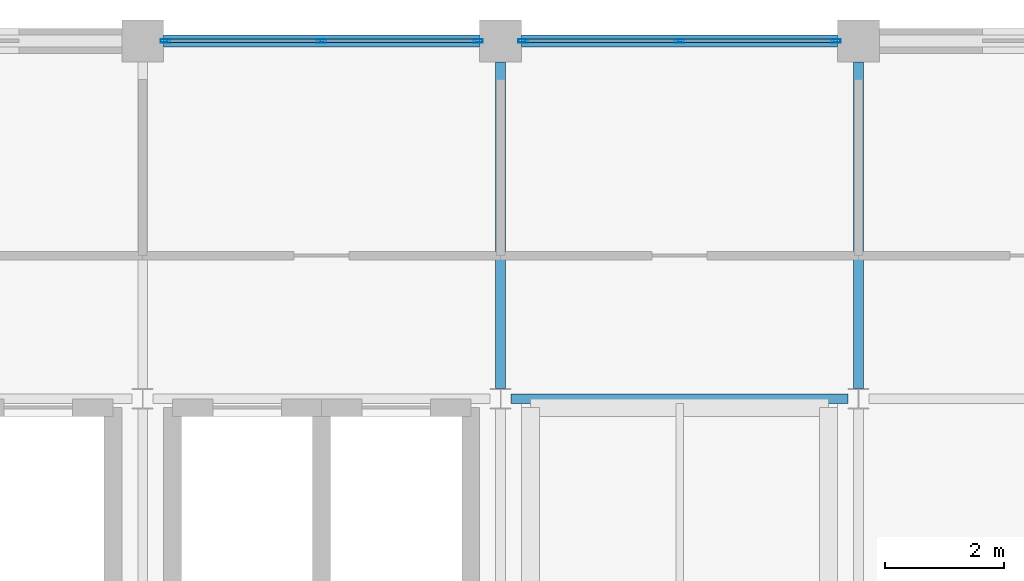
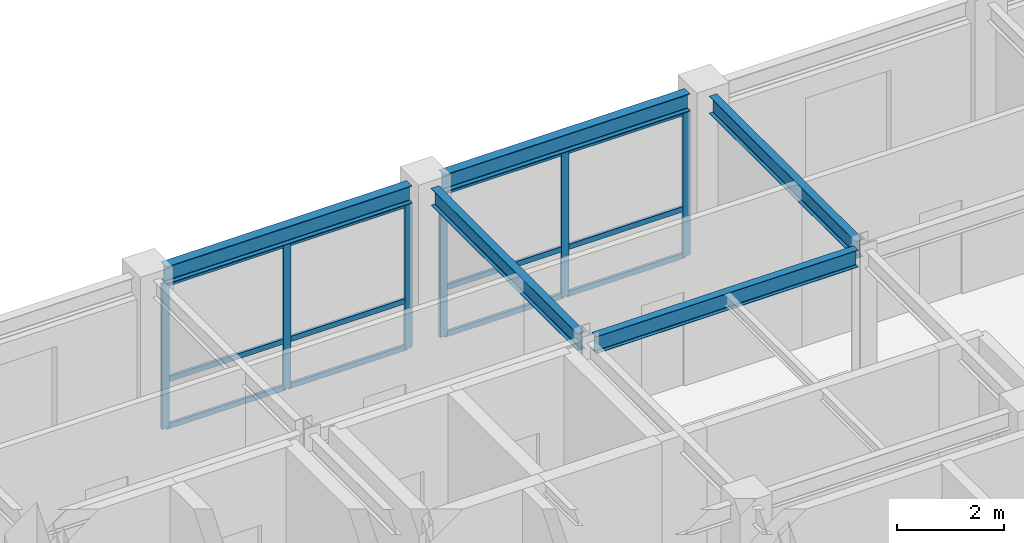
# One storey, part 7 of 13: 18 members, 5 beams, 2 elements without a shape of their own.
"""IFC4 building model written with IfcOpenShell, lengths in metres."""

from ifc_helpers import new_model, si_unit, direction, frame, origin, origin_2d, place, context, subcontext, project, spatial, hollow_rectangle, i_section, extrude, material, layer, layer_set, material_profile, profile_set, type_object, element, aggregate, save


model = new_model("IFC4")

# Units and contexts
model_context = context("Model", 3, precision=1e-05, world=origin(), true_north=direction((0.0, 1.0)))
body_context = subcontext(model_context, "Body", "Model", "MODEL_VIEW")
ifc_project = project(units=[si_unit("LENGTHUNIT", "METRE"), si_unit("AREAUNIT", "SQUARE_METRE"), si_unit("VOLUMEUNIT", "CUBIC_METRE"), si_unit("PLANEANGLEUNIT", "RADIAN"), si_unit("MASSUNIT", "GRAM", prefix="KILO")], contexts=[model_context])

# Site, building, storey
site_placement = place(None, origin())
site = spatial("IfcSite", under=ifc_project, at=site_placement, CompositionType="ELEMENT")
building_placement = place(site_placement, origin())
building = spatial("IfcBuilding", under=site, at=building_placement, Name="Zlatovratsky Civic Hall", CompositionType="ELEMENT")
storey_placement = place(building_placement, frame((0.0, 0.0, 44.39990234375)))
storey = spatial("IfcBuildingStorey", under=building, at=storey_placement, Name="L11", CompositionType="ELEMENT", Elevation=44.39990234375)

# Beams
ifc_material_1 = material(Name="Steel S355", Category="steel")
ifc_material_profile_1 = material_profile(ifc_material_1, i_section(OverallWidth=0.199951171875, OverallDepth=0.39990234375, WebThickness=0.008056640625, FlangeThickness=0.012939453125, FilletRadius=0.014892578125, at=origin_2d()), Name="40B2")
ifc_profile_set_1 = profile_set([ifc_material_profile_1], Name="Steel S355")
beam_type_1 = type_object("IfcBeamType", Name="Beam_Spandrel_40B2", PredefinedType="SPANDREL", material=ifc_profile_set_1)
for number, where, z_axis, x_axis, name in (
    (1, (78.35009765625, 102.0, 3.5400390625), (1.0, 0.0, 0.0), (0.0, 1.0, 0.0), "BM-4744"),
    (2, (84.35009765625, 102.0, 3.5400390625), (1.0, 0.0, 0.0), (0.0, 1.0, 0.0), "BM-4745"),
):
    element("IfcBeam", number, at=place(storey_placement, frame(where, z_axis=z_axis, x_axis=x_axis)), inside=storey, type_object=beam_type_1, Name=name, PredefinedType="SPANDREL", context=body_context, shape_type="SweptSolid", body=[
        extrude(i_section(OverallWidth=0.199951171875, OverallDepth=0.39990234375, WebThickness=0.008056640625, FlangeThickness=0.012939453125, FilletRadius=0.014892578125, at=origin_2d()), origin(), (0.0, 0.0, 1.0), 5.2998046875),
    ])
ifc_material_profile_2 = material_profile(ifc_material_1, i_section(OverallWidth=0.1650390625, OverallDepth=0.39208984375, WebThickness=0.006591796875, FlangeThickness=0.009521484375, FilletRadius=0.014892578125, at=origin_2d()), Name="40B1")
ifc_profile_set_2 = profile_set([ifc_material_profile_2], Name="Steel S355")
beam_type_2 = type_object("IfcBeamType", Name="Beam_Tie_40B1", PredefinedType="BEAM", material=ifc_profile_set_2)
beam_placement = place(storey_placement, frame((84.175048828125, 96.0, 3.544189453125), z_axis=(1.0, 0.0, 0.0), x_axis=(0.0, 1.0, 0.0)))
element("IfcBeam", 3, at=beam_placement, inside=storey, type_object=beam_type_2, Name="BM-4737", PredefinedType="BEAM", context=body_context, shape_type="SweptSolid", body=[
    extrude(i_section(OverallWidth=0.1650390625, OverallDepth=0.39208984375, WebThickness=0.006591796875, FlangeThickness=0.009521484375, FilletRadius=0.014892578125, at=origin_2d()), origin(), (0.0, 0.0, 1.0), 5.64990234375),
])
for number, where, z_axis, x_axis, name in (
    (4, (84.0, 96.17138671875, 3.544189453125), (0.0, 1.0, 0.0), (-1.0, 0.0, 0.0), "BM-4773"),
    (5, (90.0, 96.17138671875, 3.544189453125), (0.0, 1.0, 0.0), (-1.0, 0.0, 0.0), "BM-4778"),
):
    element("IfcBeam", number, at=place(storey_placement, frame(where, z_axis=z_axis, x_axis=x_axis)), inside=storey, type_object=beam_type_2, Name=name, PredefinedType="BEAM", context=body_context, shape_type="SweptSolid", body=[
        extrude(i_section(OverallWidth=0.1650390625, OverallDepth=0.39208984375, WebThickness=0.006591796875, FlangeThickness=0.009521484375, FilletRadius=0.014892578125, at=origin_2d()), origin(), (0.0, 0.0, 1.0), 5.478515625),
    ])

# Curtain wall, members
ifc_material_2 = material(Name="Anodised bronze aluminium", Category="aluminium")
ifc_layer = layer(ifc_material_2, 0.159912109375)
ifc_layer_set = layer_set([ifc_layer], Name="Anodised bronze aluminium")
curtain_wall_type = type_object("IfcCurtainWallType", Name="CurtainWall_Bronze_5300x3320_21", PredefinedType="NOTDEFINED", material=ifc_layer_set)
curtain_wall_1_placement = place(storey_placement, origin())
curtain_wall_1 = element("IfcCurtainWall", 6, at=curtain_wall_1_placement, inside=storey, type_object=curtain_wall_type, Name="CW-155", PredefinedType="NOTDEFINED")
ifc_material_profile_3 = material_profile(ifc_material_2, hollow_rectangle(XDim=0.06005859375, YDim=0.159912109375, WallThickness=0.00390625, at=origin_2d()), Name="ALU 60x160x4")
ifc_profile_set_3 = profile_set([ifc_material_profile_3], Name="Anodised bronze aluminium")
member_type_1 = type_object("IfcMemberType", Name="CW_Mullion_60x160", PredefinedType="MULLION", material=ifc_profile_set_3)
member_1_placement = place(storey_placement, frame((78.3798828125, 102.0, 0.0), z_axis=(0.0, 0.0, 1.0), x_axis=(0.0, 1.0, 0.0)))
member_1 = element("IfcMember", 7, at=member_1_placement, type_object=member_type_1, Name="CW-21 mullion 1", PredefinedType="MULLION", context=body_context, shape_type="SweptSolid", body=[
    extrude(hollow_rectangle(XDim=0.06005859375, YDim=0.159912109375, WallThickness=0.00390625, at=origin_2d()), origin(), (0.0, 0.0, 1.0), 3.320068359375),
])
member_2_placement = place(storey_placement, frame((81.0, 102.0, 0.0), z_axis=(0.0, 0.0, 1.0), x_axis=(0.0, 1.0, 0.0)))
member_2 = element("IfcMember", 8, at=member_2_placement, type_object=member_type_1, Name="CW-21 mullion 2", PredefinedType="MULLION", context=body_context, shape_type="SweptSolid", body=[
    extrude(hollow_rectangle(XDim=0.06005859375, YDim=0.159912109375, WallThickness=0.00390625, at=origin_2d()), origin(), (0.0, 0.0, 1.0), 3.320068359375),
])
member_3_placement = place(storey_placement, frame((83.6201171875, 102.0, 0.0), z_axis=(0.0, 0.0, 1.0), x_axis=(0.0, 1.0, 0.0)))
member_3 = element("IfcMember", 9, at=member_3_placement, type_object=member_type_1, Name="CW-21 mullion 3", PredefinedType="MULLION", context=body_context, shape_type="SweptSolid", body=[
    extrude(hollow_rectangle(XDim=0.06005859375, YDim=0.159912109375, WallThickness=0.00390625, at=origin_2d()), origin(), (0.0, 0.0, 1.0), 3.320068359375),
])

curtain_wall_2_placement = place(storey_placement, origin())
curtain_wall_2 = element("IfcCurtainWall", 10, at=curtain_wall_2_placement, inside=storey, type_object=curtain_wall_type, Name="CW-156", PredefinedType="NOTDEFINED")
member_4_placement = place(storey_placement, frame((84.3798828125, 102.0, 0.0), z_axis=(0.0, 0.0, 1.0), x_axis=(0.0, 1.0, 0.0)))
member_4 = element("IfcMember", 11, at=member_4_placement, type_object=member_type_1, Name="CW-21 mullion 1", PredefinedType="MULLION", context=body_context, shape_type="SweptSolid", body=[
    extrude(hollow_rectangle(XDim=0.06005859375, YDim=0.159912109375, WallThickness=0.00390625, at=origin_2d()), origin(), (0.0, 0.0, 1.0), 3.320068359375),
])
member_5_placement = place(storey_placement, frame((87.0, 102.0, 0.0), z_axis=(0.0, 0.0, 1.0), x_axis=(0.0, 1.0, 0.0)))
member_5 = element("IfcMember", 12, at=member_5_placement, type_object=member_type_1, Name="CW-21 mullion 2", PredefinedType="MULLION", context=body_context, shape_type="SweptSolid", body=[
    extrude(hollow_rectangle(XDim=0.06005859375, YDim=0.159912109375, WallThickness=0.00390625, at=origin_2d()), origin(), (0.0, 0.0, 1.0), 3.320068359375),
])
member_6_placement = place(storey_placement, frame((89.6201171875, 102.0, 0.0), z_axis=(0.0, 0.0, 1.0), x_axis=(0.0, 1.0, 0.0)))
member_6 = element("IfcMember", 13, at=member_6_placement, type_object=member_type_1, Name="CW-21 mullion 3", PredefinedType="MULLION", context=body_context, shape_type="SweptSolid", body=[
    extrude(hollow_rectangle(XDim=0.06005859375, YDim=0.159912109375, WallThickness=0.00390625, at=origin_2d()), origin(), (0.0, 0.0, 1.0), 3.320068359375),
])

# Member
ifc_material_profile_4 = material_profile(ifc_material_2, hollow_rectangle(XDim=0.06005859375, YDim=0.1201171875, WallThickness=0.00390625, at=origin_2d()), Name="ALU 60x120x4")
ifc_profile_set_4 = profile_set([ifc_material_profile_4], Name="Anodised bronze aluminium")
member_type_2 = type_object("IfcMemberType", Name="CW_Transom_60x120", PredefinedType="USERDEFINED", material=ifc_profile_set_4)
member_7_placement = place(storey_placement, frame((78.409912109375, 102.0, 0.030029296875), z_axis=(1.0, 0.0, 0.0), x_axis=(0.0, 1.0, 0.0)))
member_7 = element("IfcMember", 14, at=member_7_placement, type_object=member_type_2, Name="CW-21 transom 1.1", ObjectType="TRANSOM", PredefinedType="USERDEFINED", context=body_context, shape_type="SweptSolid", body=[
    extrude(hollow_rectangle(XDim=0.06005859375, YDim=0.1201171875, WallThickness=0.00390625, at=origin_2d()), origin(), (0.0, 0.0, 1.0), 2.56005859375),
])

member_8_placement = place(storey_placement, frame((78.409912109375, 102.0, 1.10009765625), z_axis=(1.0, 0.0, 0.0), x_axis=(0.0, 1.0, 0.0)))
member_8 = element("IfcMember", 15, at=member_8_placement, type_object=member_type_2, Name="CW-21 transom 1.2", ObjectType="TRANSOM", PredefinedType="USERDEFINED", context=body_context, shape_type="SweptSolid", body=[
    extrude(hollow_rectangle(XDim=0.06005859375, YDim=0.1201171875, WallThickness=0.00390625, at=origin_2d()), origin(), (0.0, 0.0, 1.0), 2.56005859375),
])

member_9_placement = place(storey_placement, frame((78.409912109375, 102.0, 3.2900390625), z_axis=(1.0, 0.0, 0.0), x_axis=(0.0, 1.0, 0.0)))
member_9 = element("IfcMember", 16, at=member_9_placement, type_object=member_type_2, Name="CW-21 transom 1.3", ObjectType="TRANSOM", PredefinedType="USERDEFINED", context=body_context, shape_type="SweptSolid", body=[
    extrude(hollow_rectangle(XDim=0.06005859375, YDim=0.1201171875, WallThickness=0.00390625, at=origin_2d()), origin(), (0.0, 0.0, 1.0), 2.56005859375),
])

member_10_placement = place(storey_placement, frame((81.030029296875, 102.0, 0.030029296875), z_axis=(1.0, 0.0, 0.0), x_axis=(0.0, 1.0, 0.0)))
member_10 = element("IfcMember", 17, at=member_10_placement, type_object=member_type_2, Name="CW-21 transom 2.1", ObjectType="TRANSOM", PredefinedType="USERDEFINED", context=body_context, shape_type="SweptSolid", body=[
    extrude(hollow_rectangle(XDim=0.06005859375, YDim=0.1201171875, WallThickness=0.00390625, at=origin_2d()), origin(), (0.0, 0.0, 1.0), 2.56005859375),
])

member_11_placement = place(storey_placement, frame((81.030029296875, 102.0, 1.10009765625), z_axis=(1.0, 0.0, 0.0), x_axis=(0.0, 1.0, 0.0)))
member_11 = element("IfcMember", 18, at=member_11_placement, type_object=member_type_2, Name="CW-21 transom 2.2", ObjectType="TRANSOM", PredefinedType="USERDEFINED", context=body_context, shape_type="SweptSolid", body=[
    extrude(hollow_rectangle(XDim=0.06005859375, YDim=0.1201171875, WallThickness=0.00390625, at=origin_2d()), origin(), (0.0, 0.0, 1.0), 2.56005859375),
])

member_12_placement = place(storey_placement, frame((81.030029296875, 102.0, 3.2900390625), z_axis=(1.0, 0.0, 0.0), x_axis=(0.0, 1.0, 0.0)))
member_12 = element("IfcMember", 19, at=member_12_placement, type_object=member_type_2, Name="CW-21 transom 2.3", ObjectType="TRANSOM", PredefinedType="USERDEFINED", context=body_context, shape_type="SweptSolid", body=[
    extrude(hollow_rectangle(XDim=0.06005859375, YDim=0.1201171875, WallThickness=0.00390625, at=origin_2d()), origin(), (0.0, 0.0, 1.0), 2.56005859375),
])

aggregate(curtain_wall_1, [member_1, member_2, member_3, member_7, member_8, member_9, member_10, member_11, member_12])

member_13_placement = place(storey_placement, frame((84.409912109375, 102.0, 0.030029296875), z_axis=(1.0, 0.0, 0.0), x_axis=(0.0, 1.0, 0.0)))
member_13 = element("IfcMember", 20, at=member_13_placement, type_object=member_type_2, Name="CW-21 transom 1.1", ObjectType="TRANSOM", PredefinedType="USERDEFINED", context=body_context, shape_type="SweptSolid", body=[
    extrude(hollow_rectangle(XDim=0.06005859375, YDim=0.1201171875, WallThickness=0.00390625, at=origin_2d()), origin(), (0.0, 0.0, 1.0), 2.56005859375),
])

member_14_placement = place(storey_placement, frame((84.409912109375, 102.0, 1.10009765625), z_axis=(1.0, 0.0, 0.0), x_axis=(0.0, 1.0, 0.0)))
member_14 = element("IfcMember", 21, at=member_14_placement, type_object=member_type_2, Name="CW-21 transom 1.2", ObjectType="TRANSOM", PredefinedType="USERDEFINED", context=body_context, shape_type="SweptSolid", body=[
    extrude(hollow_rectangle(XDim=0.06005859375, YDim=0.1201171875, WallThickness=0.00390625, at=origin_2d()), origin(), (0.0, 0.0, 1.0), 2.56005859375),
])

member_15_placement = place(storey_placement, frame((84.409912109375, 102.0, 3.2900390625), z_axis=(1.0, 0.0, 0.0), x_axis=(0.0, 1.0, 0.0)))
member_15 = element("IfcMember", 22, at=member_15_placement, type_object=member_type_2, Name="CW-21 transom 1.3", ObjectType="TRANSOM", PredefinedType="USERDEFINED", context=body_context, shape_type="SweptSolid", body=[
    extrude(hollow_rectangle(XDim=0.06005859375, YDim=0.1201171875, WallThickness=0.00390625, at=origin_2d()), origin(), (0.0, 0.0, 1.0), 2.56005859375),
])

member_16_placement = place(storey_placement, frame((87.030029296875, 102.0, 0.030029296875), z_axis=(1.0, 0.0, 0.0), x_axis=(0.0, 1.0, 0.0)))
member_16 = element("IfcMember", 23, at=member_16_placement, type_object=member_type_2, Name="CW-21 transom 2.1", ObjectType="TRANSOM", PredefinedType="USERDEFINED", context=body_context, shape_type="SweptSolid", body=[
    extrude(hollow_rectangle(XDim=0.06005859375, YDim=0.1201171875, WallThickness=0.00390625, at=origin_2d()), origin(), (0.0, 0.0, 1.0), 2.56005859375),
])

member_17_placement = place(storey_placement, frame((87.030029296875, 102.0, 1.10009765625), z_axis=(1.0, 0.0, 0.0), x_axis=(0.0, 1.0, 0.0)))
member_17 = element("IfcMember", 24, at=member_17_placement, type_object=member_type_2, Name="CW-21 transom 2.2", ObjectType="TRANSOM", PredefinedType="USERDEFINED", context=body_context, shape_type="SweptSolid", body=[
    extrude(hollow_rectangle(XDim=0.06005859375, YDim=0.1201171875, WallThickness=0.00390625, at=origin_2d()), origin(), (0.0, 0.0, 1.0), 2.56005859375),
])

member_18_placement = place(storey_placement, frame((87.030029296875, 102.0, 3.2900390625), z_axis=(1.0, 0.0, 0.0), x_axis=(0.0, 1.0, 0.0)))
member_18 = element("IfcMember", 25, at=member_18_placement, type_object=member_type_2, Name="CW-21 transom 2.3", ObjectType="TRANSOM", PredefinedType="USERDEFINED", context=body_context, shape_type="SweptSolid", body=[
    extrude(hollow_rectangle(XDim=0.06005859375, YDim=0.1201171875, WallThickness=0.00390625, at=origin_2d()), origin(), (0.0, 0.0, 1.0), 2.56005859375),
])

aggregate(curtain_wall_2, [member_4, member_5, member_6, member_13, member_14, member_15, member_16, member_17, member_18])

save(model, "model.ifc")
